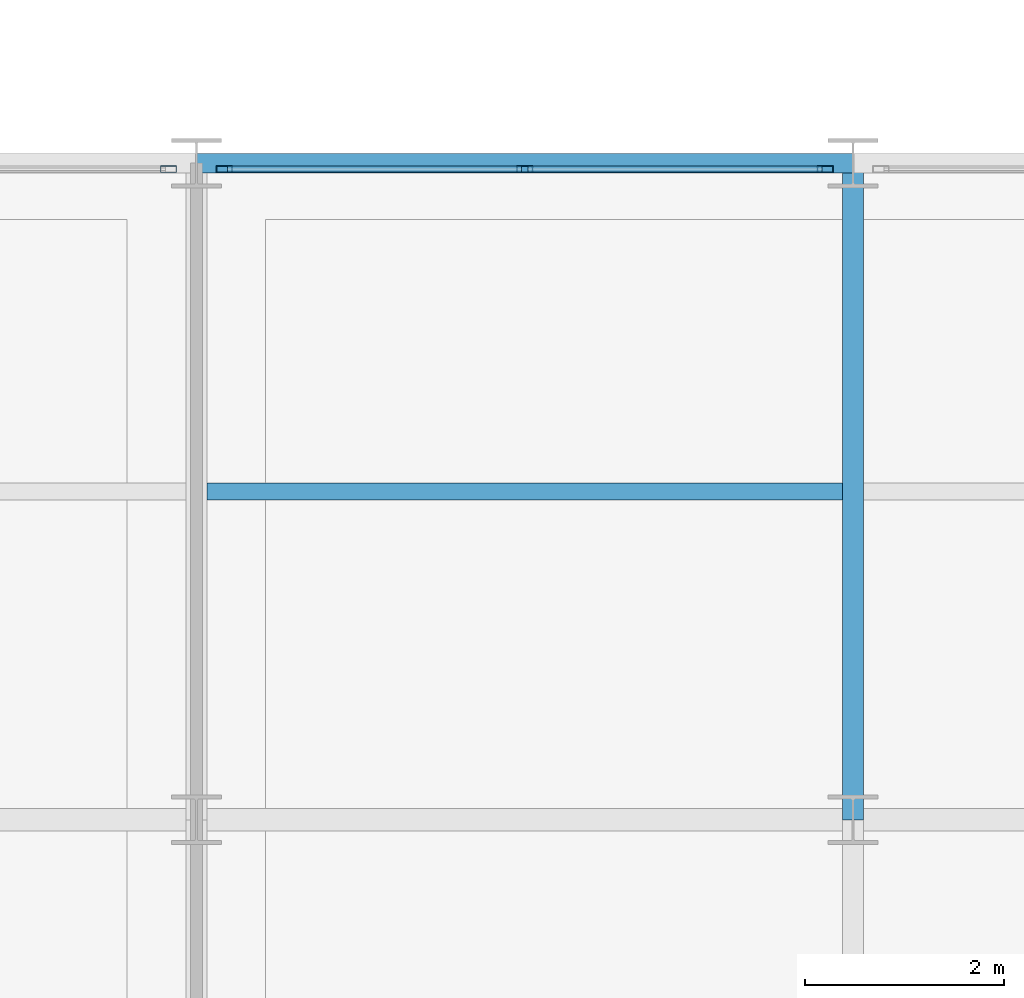
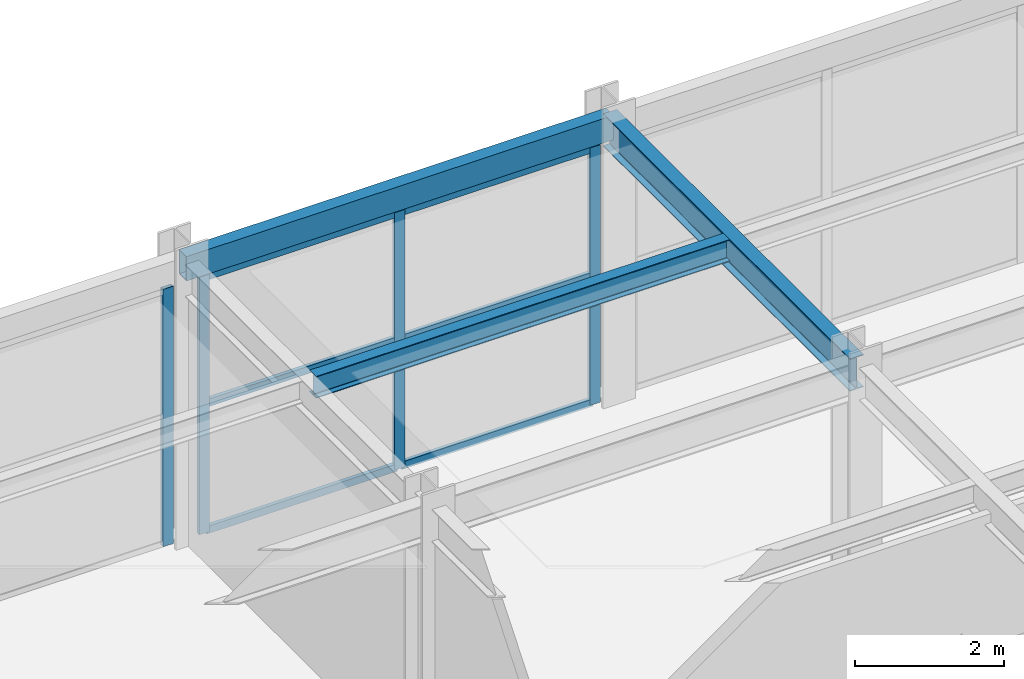
# One storey, part 93 of 144: 10 members, 3 beams, 2 elements without a shape of their own.
"""IFC4 building model written with IfcOpenShell, lengths in metres."""

from ifc_helpers import new_model, si_unit, direction, frame, origin, origin_2d, place, context, subcontext, project, spatial, hollow_rectangle, i_section, extrude, material, material_profile, profile_set, type_object, element, aggregate, save


model = new_model("IFC4")

# Units and contexts
model_context = context("Model", 3, precision=1e-05, world=origin(), true_north=direction((0.0, 1.0)))
body_context = subcontext(model_context, "Body", "Model", "MODEL_VIEW")
ifc_project = project(units=[si_unit("LENGTHUNIT", "METRE"), si_unit("AREAUNIT", "SQUARE_METRE"), si_unit("VOLUMEUNIT", "CUBIC_METRE"), si_unit("PLANEANGLEUNIT", "RADIAN"), si_unit("MASSUNIT", "GRAM", prefix="KILO")], contexts=[model_context])

# Site, building, storey
site_placement = place(None, origin())
site = spatial("IfcSite", under=ifc_project, at=site_placement, CompositionType="ELEMENT")
building_placement = place(site_placement, origin())
building = spatial("IfcBuilding", under=site, at=building_placement, Name="Karori Crest Natural Sciences Institute", CompositionType="ELEMENT")
storey_placement = place(building_placement, origin())
storey = spatial("IfcBuildingStorey", under=building, at=storey_placement, Name="L00", CompositionType="ELEMENT", Elevation=0.0)

# Beams
ifc_material_1 = material(Name="Structural steel AS/NZS 3679.1 Grade 350", Category="steel")
ifc_material_profile_1 = material_profile(ifc_material_1, i_section(OverallWidth=0.208984375, OverallDepth=0.532958984375, WebThickness=0.01025390625, FlangeThickness=0.015625, FilletRadius=0.013916015625, at=origin_2d()), Name="530UB92.4")
ifc_profile_set_1 = profile_set([ifc_material_profile_1], Name="Structural steel AS/NZS 3679.1 Grade 350")
beam_type_1 = type_object("IfcBeamType", Name="BT-05", PredefinedType="BEAM", material=ifc_profile_set_1)
beam_1_placement = place(storey_placement, frame((136.60009765625, 14.0, 4.353515625), z_axis=(0.0, 1.0, 0.0), x_axis=(-1.0, 0.0, 0.0)))
element("IfcBeam", 1, at=beam_1_placement, inside=storey, type_object=beam_type_1, Name="Beam B-2072", PredefinedType="BEAM", context=body_context, shape_type="SweptSolid", body=[
    extrude(i_section(OverallWidth=0.208984375, OverallDepth=0.532958984375, WebThickness=0.01025390625, FlangeThickness=0.015625, FilletRadius=0.013916015625, at=origin_2d()), origin(), (0.0, 0.0, 1.0), 6.60009765625),
])
ifc_material_profile_2 = material_profile(ifc_material_1, i_section(OverallWidth=0.172119140625, OverallDepth=0.35888671875, WebThickness=0.008056640625, FlangeThickness=0.012939453125, FilletRadius=0.010986328125, at=origin_2d()), Name="360UB56.7")
ifc_profile_set_2 = profile_set([ifc_material_profile_2], Name="Structural steel AS/NZS 3679.1 Grade 350")
beam_type_2 = type_object("IfcBeamType", Name="BT-08", PredefinedType="BEAM", material=ifc_profile_set_2)
beam_2_placement = place(storey_placement, frame((130.1044921875, 17.300048828125, 4.4404296875), z_axis=(1.0, 0.0, 0.0), x_axis=(0.0, 1.0, 0.0)))
element("IfcBeam", 2, at=beam_2_placement, inside=storey, type_object=beam_type_2, Name="Beam B-2096", PredefinedType="BEAM", context=body_context, shape_type="SweptSolid", body=[
    extrude(i_section(OverallWidth=0.172119140625, OverallDepth=0.35888671875, WebThickness=0.008056640625, FlangeThickness=0.012939453125, FilletRadius=0.010986328125, at=origin_2d()), origin(), (0.0, 0.0, 1.0), 6.39111328125),
])
ifc_material_2 = material(Name="Hollow structural steel AS/NZS 1163 Grade C350", Category="steel")
ifc_material_profile_3 = material_profile(ifc_material_2, hollow_rectangle(XDim=0.199951171875, YDim=0.39990234375, WallThickness=0.012451171875, at=origin_2d()), Name="RHS400x200x12.5")
ifc_profile_set_3 = profile_set([ifc_material_profile_3], Name="Hollow structural steel AS/NZS 1163 Grade C350")
beam_type_3 = type_object("IfcBeamType", Name="BT-14", PredefinedType="SPANDREL", material=ifc_profile_set_3)
beam_3_placement = place(storey_placement, frame((130.0, 20.60009765625, 4.419921875), z_axis=(1.0, 0.0, 0.0), x_axis=(0.0, 1.0, 0.0)))
element("IfcBeam", 3, at=beam_3_placement, inside=storey, type_object=beam_type_3, Name="Beam B-2050", PredefinedType="SPANDREL", context=body_context, shape_type="SweptSolid", body=[
    extrude(hollow_rectangle(XDim=0.199951171875, YDim=0.39990234375, WallThickness=0.012451171875, at=origin_2d()), origin(), (0.0, 0.0, 1.0), 6.60009765625),
])

# Curtain wall, member
ifc_material_3 = material(Name="Anodised architectural aluminium 6063-T6", Category="aluminium")
curtain_wall_type = type_object("IfcCurtainWallType", Name="CWT-20", PredefinedType="NOTDEFINED", material=ifc_material_3)
curtain_wall_1_placement = place(storey_placement, origin())
curtain_wall_1 = element("IfcCurtainWall", 4, at=curtain_wall_1_placement, inside=storey, type_object=curtain_wall_type, Name="Curtain wall CW-0298", PredefinedType="NOTDEFINED")
ifc_material_profile_4 = material_profile(ifc_material_3, hollow_rectangle(XDim=0.06494140625, YDim=0.159912109375, WallThickness=0.00390625, at=origin_2d()), Name="CWM160x65x4")
ifc_profile_set_4 = profile_set([ifc_material_profile_4], Name="Anodised architectural aluminium 6063-T6")
member_type_1 = type_object("IfcMemberType", Name="CWM-01", PredefinedType="MULLION", material=ifc_profile_set_4)
member_1_placement = place(storey_placement, frame((129.719482421875, 20.5400390625, 0.0), z_axis=(0.0, 0.0, 1.0), x_axis=(0.0, 1.0, 0.0)))
member_1 = element("IfcMember", 5, at=member_1_placement, type_object=member_type_1, Name="CW-0298 mullion 3", PredefinedType="MULLION", context=body_context, shape_type="SweptSolid", body=[
    extrude(hollow_rectangle(XDim=0.06494140625, YDim=0.159912109375, WallThickness=0.00390625, at=origin_2d()), origin(), (0.0, 0.0, 1.0), 4.205078125),
])
aggregate(curtain_wall_1, [member_1])

# Curtain wall, members
curtain_wall_2_placement = place(storey_placement, origin())
curtain_wall_2 = element("IfcCurtainWall", 6, at=curtain_wall_2_placement, inside=storey, type_object=curtain_wall_type, Name="Curtain wall CW-0299", PredefinedType="NOTDEFINED")
member_2_placement = place(storey_placement, frame((130.280517578125, 20.5400390625, 0.0), z_axis=(0.0, 0.0, 1.0), x_axis=(0.0, 1.0, 0.0)))
member_2 = element("IfcMember", 7, at=member_2_placement, type_object=member_type_1, Name="CW-0299 mullion 1", PredefinedType="MULLION", context=body_context, shape_type="SweptSolid", body=[
    extrude(hollow_rectangle(XDim=0.06494140625, YDim=0.159912109375, WallThickness=0.00390625, at=origin_2d()), origin(), (0.0, 0.0, 1.0), 4.205078125),
])
member_3_placement = place(storey_placement, frame((133.300048828125, 20.5400390625, 0.0), z_axis=(0.0, 0.0, 1.0), x_axis=(0.0, 1.0, 0.0)))
member_3 = element("IfcMember", 8, at=member_3_placement, type_object=member_type_1, Name="CW-0299 mullion 2", PredefinedType="MULLION", context=body_context, shape_type="SweptSolid", body=[
    extrude(hollow_rectangle(XDim=0.06494140625, YDim=0.159912109375, WallThickness=0.00390625, at=origin_2d()), origin(), (0.0, 0.0, 1.0), 4.205078125),
])
member_4_placement = place(storey_placement, frame((136.319580078125, 20.5400390625, 0.0), z_axis=(0.0, 0.0, 1.0), x_axis=(0.0, 1.0, 0.0)))
member_4 = element("IfcMember", 9, at=member_4_placement, type_object=member_type_1, Name="CW-0299 mullion 3", PredefinedType="MULLION", context=body_context, shape_type="SweptSolid", body=[
    extrude(hollow_rectangle(XDim=0.06494140625, YDim=0.159912109375, WallThickness=0.00390625, at=origin_2d()), origin(), (0.0, 0.0, 1.0), 4.205078125),
])
ifc_material_profile_5 = material_profile(ifc_material_3, hollow_rectangle(XDim=0.06005859375, YDim=0.1201171875, WallThickness=0.00390625, at=origin_2d()), Name="CWT120x60x4")
ifc_profile_set_5 = profile_set([ifc_material_profile_5], Name="Anodised architectural aluminium 6063-T6")
member_type_2 = type_object("IfcMemberType", Name="CWT-TR1", PredefinedType="USERDEFINED", material=ifc_profile_set_5)
member_5_placement = place(storey_placement, frame((130.31298828125, 20.5400390625, 0.030029296875), z_axis=(1.0, 0.0, 0.0), x_axis=(0.0, 1.0, 0.0)))
member_5 = element("IfcMember", 10, at=member_5_placement, type_object=member_type_2, Name="CW-0299 transom 1.1", ObjectType="TRANSOM", PredefinedType="USERDEFINED", context=body_context, shape_type="SweptSolid", body=[
    extrude(hollow_rectangle(XDim=0.06005859375, YDim=0.1201171875, WallThickness=0.00390625, at=origin_2d()), origin(), (0.0, 0.0, 1.0), 2.95458984375),
])
member_6_placement = place(storey_placement, frame((130.31298828125, 20.5400390625, 2.1025390625), z_axis=(1.0, 0.0, 0.0), x_axis=(0.0, 1.0, 0.0)))
member_6 = element("IfcMember", 11, at=member_6_placement, type_object=member_type_2, Name="CW-0299 transom 1.2", ObjectType="TRANSOM", PredefinedType="USERDEFINED", context=body_context, shape_type="SweptSolid", body=[
    extrude(hollow_rectangle(XDim=0.06005859375, YDim=0.1201171875, WallThickness=0.00390625, at=origin_2d()), origin(), (0.0, 0.0, 1.0), 2.95458984375),
])
member_7_placement = place(storey_placement, frame((130.31298828125, 20.5400390625, 4.175048828125), z_axis=(1.0, 0.0, 0.0), x_axis=(0.0, 1.0, 0.0)))
member_7 = element("IfcMember", 12, at=member_7_placement, type_object=member_type_2, Name="CW-0299 transom 1.3", ObjectType="TRANSOM", PredefinedType="USERDEFINED", context=body_context, shape_type="SweptSolid", body=[
    extrude(hollow_rectangle(XDim=0.06005859375, YDim=0.1201171875, WallThickness=0.00390625, at=origin_2d()), origin(), (0.0, 0.0, 1.0), 2.95458984375),
])
member_8_placement = place(storey_placement, frame((133.33251953125, 20.5400390625, 0.030029296875), z_axis=(1.0, 0.0, 0.0), x_axis=(0.0, 1.0, 0.0)))
member_8 = element("IfcMember", 13, at=member_8_placement, type_object=member_type_2, Name="CW-0299 transom 2.1", ObjectType="TRANSOM", PredefinedType="USERDEFINED", context=body_context, shape_type="SweptSolid", body=[
    extrude(hollow_rectangle(XDim=0.06005859375, YDim=0.1201171875, WallThickness=0.00390625, at=origin_2d()), origin(), (0.0, 0.0, 1.0), 2.95458984375),
])
member_9_placement = place(storey_placement, frame((133.33251953125, 20.5400390625, 2.1025390625), z_axis=(1.0, 0.0, 0.0), x_axis=(0.0, 1.0, 0.0)))
member_9 = element("IfcMember", 14, at=member_9_placement, type_object=member_type_2, Name="CW-0299 transom 2.2", ObjectType="TRANSOM", PredefinedType="USERDEFINED", context=body_context, shape_type="SweptSolid", body=[
    extrude(hollow_rectangle(XDim=0.06005859375, YDim=0.1201171875, WallThickness=0.00390625, at=origin_2d()), origin(), (0.0, 0.0, 1.0), 2.95458984375),
])
member_10_placement = place(storey_placement, frame((133.33251953125, 20.5400390625, 4.175048828125), z_axis=(1.0, 0.0, 0.0), x_axis=(0.0, 1.0, 0.0)))
member_10 = element("IfcMember", 15, at=member_10_placement, type_object=member_type_2, Name="CW-0299 transom 2.3", ObjectType="TRANSOM", PredefinedType="USERDEFINED", context=body_context, shape_type="SweptSolid", body=[
    extrude(hollow_rectangle(XDim=0.06005859375, YDim=0.1201171875, WallThickness=0.00390625, at=origin_2d()), origin(), (0.0, 0.0, 1.0), 2.95458984375),
])
aggregate(curtain_wall_2, [member_2, member_3, member_4, member_5, member_6, member_7, member_8, member_9, member_10])

save(model, "model.ifc")
